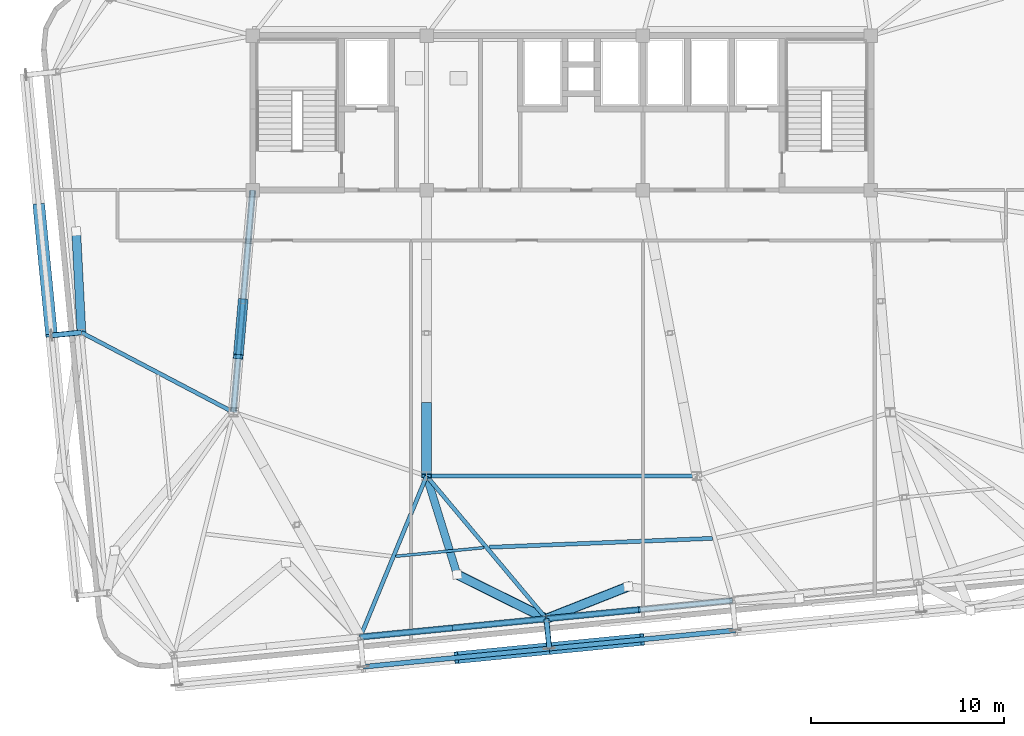
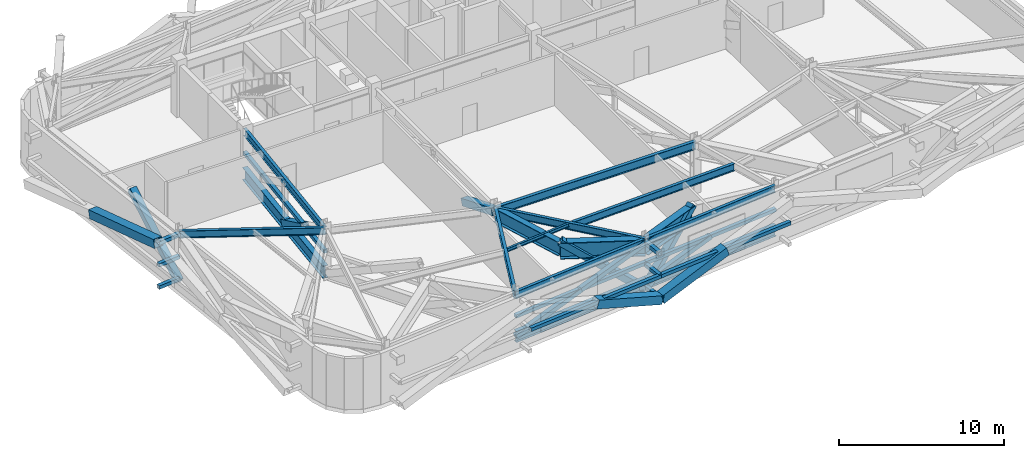
# One storey, part 6 of 24: 25 members, 12 beams.
"""IFC4 building model written with IfcOpenShell, lengths in metres."""

from ifc_helpers import new_model, si_unit, direction, frame, origin, origin_2d, place, context, subcontext, project, spatial, hollow_rectangle, i_section, extrude, source, transform, mapped, material, material_profile, profile_set, type_object, element, save


model = new_model("IFC4")

# Units and contexts
model_context = context("Model", 3, precision=1e-05, world=origin(), true_north=direction((0.0, 1.0)))
body_context = subcontext(model_context, "Body", "Model", "MODEL_VIEW")
ifc_project = project(units=[si_unit("LENGTHUNIT", "METRE"), si_unit("AREAUNIT", "SQUARE_METRE"), si_unit("VOLUMEUNIT", "CUBIC_METRE"), si_unit("PLANEANGLEUNIT", "RADIAN"), si_unit("MASSUNIT", "GRAM", prefix="KILO")], contexts=[model_context])

# Site, building, storey
site_placement = place(None, origin())
site = spatial("IfcSite", under=ifc_project, at=site_placement, CompositionType="ELEMENT")
building_placement = place(site_placement, origin())
building = spatial("IfcBuilding", under=site, at=building_placement, Name="Taldren Reach Tower", CompositionType="ELEMENT")
storey_placement = place(building_placement, frame((0.0, 0.0, 112.35009765625)))
storey = spatial("IfcBuildingStorey", under=building, at=storey_placement, Name="L34", CompositionType="ELEMENT", Elevation=112.35009765625)

# Beams
ifc_material_1 = material(Name="Steel Gr 350 (350PLUS)", Category="steel")
ifc_material_profile_1 = material_profile(ifc_material_1, i_section(OverallWidth=0.208984375, OverallDepth=0.532958984375, WebThickness=0.01025390625, FlangeThickness=0.015625, at=origin_2d()), Name="530UB92.4")
ifc_profile_set_1 = profile_set([ifc_material_profile_1], Name="Steel Gr 350 (350PLUS)")
beam_type_1 = type_object("IfcBeamType", Name="BM-UB530A", PredefinedType="BEAM", material=ifc_profile_set_1)
shared_shape_1 = source(origin(), body_context, "Body", "SweptSolid", [
    extrude(i_section(OverallWidth=0.208984375, OverallDepth=0.532958984375, WebThickness=0.01025390625, FlangeThickness=0.015625, at=origin_2d()), origin(), (0.0, 0.0, 1.0), 11.54345703125),
])
beam_1_placement = place(storey_placement, frame((19.0, 24.0, 3.513427734375), z_axis=(-0.086629616365, -0.996240588196, 0.0), x_axis=(0.996240588196, -0.086629616365, 0.0)))
element("IfcBeam", 1, at=beam_1_placement, inside=storey, type_object=beam_type_1, Name="Core-spine girder L34-SP09", PredefinedType="BEAM", context=body_context, shape_type="MappedRepresentation", body=[
    mapped(shared_shape_1, transform((0.0, 0.0, 0.0), scale=1.0)),
])
ifc_material_profile_2 = material_profile(ifc_material_1, i_section(OverallWidth=0.22802734375, OverallDepth=0.60205078125, WebThickness=0.010498046875, FlangeThickness=0.014892578125, at=origin_2d()), Name="610UB101")
ifc_profile_set_2 = profile_set([ifc_material_profile_2], Name="Steel Gr 350 (350PLUS)")
beam_type_2 = type_object("IfcBeamType", Name="BM-UB610B", PredefinedType="BEAM", material=ifc_profile_set_2)
shared_shape_2 = source(origin(), body_context, "Body", "SweptSolid", [
    extrude(i_section(OverallWidth=0.22802734375, OverallDepth=0.60205078125, WebThickness=0.010498046875, FlangeThickness=0.014892578125, at=origin_2d()), origin(), (0.0, 0.0, 1.0), 14.0),
])
beam_2_placement = place(storey_placement, frame((28.0, 9.199951171875, 3.47900390625), z_axis=(1.0, 0.0, 0.0), x_axis=(0.0, 1.0, 0.0)))
element("IfcBeam", 2, at=beam_2_placement, inside=storey, type_object=beam_type_2, Name="Core-spine girder L34-SP11", PredefinedType="BEAM", context=body_context, shape_type="MappedRepresentation", body=[
    mapped(shared_shape_2, transform((0.0, 0.0, 0.0), scale=1.0)),
])

# Members
ifc_material_profile_3 = material_profile(ifc_material_1, i_section(OverallWidth=0.35009765625, OverallDepth=0.916015625, WebThickness=0.013916015625, FlangeThickness=0.028076171875, at=origin_2d()), Name="900WB257")
ifc_profile_set_3 = profile_set([ifc_material_profile_3], Name="Steel Gr 350 (350PLUS)")
member_type_1 = type_object("IfcMemberType", Name="MB-CH900", PredefinedType="CHORD", material=ifc_profile_set_3)
shared_shape_3 = source(origin(), body_context, "Body", "SweptSolid", [
    extrude(i_section(OverallWidth=0.35009765625, OverallDepth=0.916015625, WebThickness=0.013916015625, FlangeThickness=0.028076171875, at=origin_2d()), origin(), (0.0, 0.0, 1.0), 11.54345703125),
])
member_1_placement = place(storey_placement, frame((19.0, 24.0, 0.449951171875), z_axis=(-0.086629616365, -0.996240588196, 0.0), x_axis=(0.996240588196, -0.086629616365, 0.0)))
element("IfcMember", 3, at=member_1_placement, inside=storey, type_object=member_type_1, Name="Outrigger Transfer Truss Bottom Chord OT-W1 L34", PredefinedType="CHORD", context=body_context, shape_type="MappedRepresentation", body=[
    mapped(shared_shape_3, transform((0.0, 0.0, 0.0), scale=1.0)),
])
ifc_material_2 = material(Name="Steel Gr 350 (C350L0)", Category="steel")
ifc_material_profile_4 = material_profile(ifc_material_2, hollow_rectangle(XDim=0.25, YDim=0.25, WallThickness=0.010009765625, at=origin_2d()), Name="250x250x10.0SHS")
ifc_profile_set_4 = profile_set([ifc_material_profile_4], Name="Steel Gr 350 (C350L0)")
member_type_2 = type_object("IfcMemberType", Name="MB-POST250", PredefinedType="POST", material=ifc_profile_set_4)
shared_shape_4 = source(origin(), body_context, "Body", "SweptSolid", [
    extrude(hollow_rectangle(XDim=0.25, YDim=0.25, WallThickness=0.010009765625, at=origin_2d()), origin(), (0.0, 0.0, 1.0), 11.54345703125),
])
member_2_placement = place(storey_placement, frame((19.0, 24.0, 1.954833984375), z_axis=(-0.086629616365, -0.996240588196, 0.0), x_axis=(0.996240588196, -0.086629616365, 0.0)))
element("IfcMember", 4, at=member_2_placement, inside=storey, type_object=member_type_2, Name="Outrigger Transfer Truss Mid Chord OT-W1 L34", PredefinedType="POST", context=body_context, shape_type="MappedRepresentation", body=[
    mapped(shared_shape_4, transform((0.0, 0.0, 0.0), scale=1.0)),
])
ifc_material_3 = material(Name="Steel Gr 450 (C450L0)", Category="steel")
ifc_material_profile_5 = material_profile(ifc_material_3, hollow_rectangle(XDim=0.510009765625, YDim=0.510009765625, WallThickness=0.02001953125, at=origin_2d()), Name="510x510x20.0SHS")
ifc_profile_set_5 = profile_set([ifc_material_profile_5], Name="Steel Gr 450 (C450L0)")
member_type_3 = type_object("IfcMemberType", Name="MB-EXO508", PredefinedType="BRACE", material=ifc_profile_set_5)
shared_shape_5 = source(origin(), body_context, "Body", "SweptSolid", [
    extrude(hollow_rectangle(XDim=0.510009765625, YDim=0.510009765625, WallThickness=0.02001953125, at=origin_2d()), origin(), (0.0, 0.0, 1.0), 3.254638671875),
])
member_3_placement = place(storey_placement, frame((18.5, 18.25, 0.449951171875), z_axis=(-0.076812991328, -0.883349400268, 0.462378201703), x_axis=(0.996240588196, -0.086629616365, 0.0)))
element("IfcMember", 5, at=member_3_placement, inside=storey, type_object=member_type_3, Name="Outrigger Transfer Truss Diagonal OT-W1B L34", PredefinedType="BRACE", context=body_context, shape_type="MappedRepresentation", body=[
    mapped(shared_shape_5, transform((0.0, 0.0, 0.0), scale=1.0)),
])
shared_shape_6 = source(origin(), body_context, "Body", "SweptSolid", [
    extrude(hollow_rectangle(XDim=0.510009765625, YDim=0.510009765625, WallThickness=0.02001953125, at=origin_2d()), origin(), (0.0, 0.0, 1.0), 3.994384765625),
])
member_4_placement = place(storey_placement, frame((28.0, 12.89990234375, 1.954833984375), z_axis=(0.0, -0.926289977248, 0.376811462206), x_axis=(1.0, 0.0, 0.0)))
element("IfcMember", 6, at=member_4_placement, inside=storey, type_object=member_type_3, Name="Outrigger Transfer Truss Diagonal OT-M1B L34", PredefinedType="BRACE", context=body_context, shape_type="MappedRepresentation", body=[
    mapped(shared_shape_6, transform((0.0, 0.0, 0.0), scale=1.0)),
])

# Beams
ifc_material_profile_6 = material_profile(ifc_material_1, i_section(OverallWidth=0.208984375, OverallDepth=0.528076171875, WebThickness=0.009521484375, FlangeThickness=0.01318359375, at=origin_2d()), Name="530UB82.0")
ifc_profile_set_6 = profile_set([ifc_material_profile_6], Name="Steel Gr 350 (350PLUS)")
beam_type_3 = type_object("IfcBeamType", Name="SP-UB530B", PredefinedType="SPANDREL", material=ifc_profile_set_6)
shared_shape_7 = source(origin(), body_context, "Body", "SweptSolid", [
    extrude(i_section(OverallWidth=0.208984375, OverallDepth=0.528076171875, WebThickness=0.009521484375, FlangeThickness=0.01318359375, at=origin_2d()), origin(), (0.0, 0.0, 1.0), 9.679931640625),
])
for number, where, z_axis, x_axis, name in (
    (7, (24.56787109375, 0.86474609375, 3.515869140625), (0.995227612658, 0.097580730699, 0.0), (-0.097580730699, 0.995227612658, 0.0), "Perimeter spandrel B2 S2-S3 L34"),
    (8, (34.20166015625, 1.809326171875, 3.515869140625), (0.995227612658, 0.097580730699, 0.0), (-0.097580730699, 0.995227612658, 0.0), "Perimeter spandrel B2 S3-S4 L34"),
):
    element("IfcBeam", number, at=place(storey_placement, frame(where, z_axis=z_axis, x_axis=x_axis)), inside=storey, type_object=beam_type_3, Name=name, PredefinedType="SPANDREL", context=body_context, shape_type="MappedRepresentation", body=[
        mapped(shared_shape_7, transform((0.0, 0.0, 0.0), scale=1.0)),
    ])
shared_shape_8 = source(origin(), body_context, "Body", "SweptSolid", [
    extrude(i_section(OverallWidth=0.208984375, OverallDepth=0.532958984375, WebThickness=0.01025390625, FlangeThickness=0.015625, at=origin_2d()), origin(), (0.0, 0.0, 1.0), 9.01416015625),
])
beam_3_placement = place(storey_placement, frame((28.0, 9.199951171875, 3.513427734375), z_axis=(-0.380748443035, -0.924678659387, 0.0), x_axis=(0.924678659387, -0.380748443035, 0.0)))
element("IfcBeam", 9, at=beam_3_placement, inside=storey, type_object=beam_type_1, Name="Primary floor girder B2-S2 L34", PredefinedType="BEAM", context=body_context, shape_type="MappedRepresentation", body=[
    mapped(shared_shape_8, transform((0.0, 0.0, 0.0), scale=1.0)),
])
shared_shape_9 = source(origin(), body_context, "Body", "SweptSolid", [
    extrude(i_section(OverallWidth=0.208984375, OverallDepth=0.532958984375, WebThickness=0.01025390625, FlangeThickness=0.015625, at=origin_2d()), origin(), (0.0, 0.0, 1.0), 9.64794921875),
])
beam_4_placement = place(storey_placement, frame((28.0, 9.199951171875, 3.513427734375), z_axis=(0.642799132398, -0.766034774268, 0.0), x_axis=(0.766034774268, 0.642799132398, 0.0)))
element("IfcBeam", 10, at=beam_4_placement, inside=storey, type_object=beam_type_1, Name="Primary floor girder B2-S3 L34", PredefinedType="BEAM", context=body_context, shape_type="MappedRepresentation", body=[
    mapped(shared_shape_9, transform((0.0, 0.0, 0.0), scale=1.0)),
])
shared_shape_10 = source(origin(), body_context, "Body", "SweptSolid", [
    extrude(i_section(OverallWidth=0.208984375, OverallDepth=0.532958984375, WebThickness=0.01025390625, FlangeThickness=0.015625, at=origin_2d()), origin(), (0.0, 0.0, 1.0), 8.8876953125),
])
beam_5_placement = place(storey_placement, frame((18.0, 12.5, 3.513427734375), z_axis=(-0.885412881876, 0.464805366371, 0.0), x_axis=(-0.464805366371, -0.885412881876, 0.0)))
element("IfcBeam", 11, at=beam_5_placement, inside=storey, type_object=beam_type_1, Name="Primary floor girder B2-W2 L34", PredefinedType="BEAM", context=body_context, shape_type="MappedRepresentation", body=[
    mapped(shared_shape_10, transform((0.0, 0.0, 0.0), scale=1.0)),
])
ifc_material_4 = material(Name="Steel Gr 300 (300PLUS, 300 MPa)", Category="steel")
ifc_material_profile_7 = material_profile(ifc_material_4, i_section(OverallWidth=0.14599609375, OverallDepth=0.256103515625, WebThickness=0.00634765625, FlangeThickness=0.010986328125, at=origin_2d()), Name="250UB37.3")
ifc_profile_set_7 = profile_set([ifc_material_profile_7], Name="Steel Gr 300 (300PLUS, 300 MPa)")
beam_type_4 = type_object("IfcBeamType", Name="JS-UB250", PredefinedType="JOIST", material=ifc_profile_set_7)
shared_shape_11 = source(origin(), body_context, "Body", "SweptSolid", [
    extrude(i_section(OverallWidth=0.14599609375, OverallDepth=0.256103515625, WebThickness=0.00634765625, FlangeThickness=0.010986328125, at=origin_2d()), origin(), (0.0, 0.0, 1.0), 4.594970703125),
])
beam_6_placement = place(storey_placement, frame((26.40185546875, 5.0439453125, 3.65185546875), z_axis=(0.995230447096, 0.097551817888, 0.0), x_axis=(-0.097551817888, 0.995230447096, 0.0)))
element("IfcBeam", 12, at=beam_6_placement, inside=storey, type_object=beam_type_4, Name="Secondary floor joist B2 J2 L34", PredefinedType="JOIST", context=body_context, shape_type="MappedRepresentation", body=[
    mapped(shared_shape_11, transform((0.0, 0.0, 0.0), scale=1.0)),
])
shared_shape_12 = source(origin(), body_context, "Body", "SweptSolid", [
    extrude(i_section(OverallWidth=0.208984375, OverallDepth=0.532958984375, WebThickness=0.01025390625, FlangeThickness=0.015625, at=origin_2d()), origin(), (0.0, 0.0, 1.0), 11.586669921875),
])
beam_7_placement = place(storey_placement, frame((31.23291015625, 5.510009765625, 3.513427734375), z_axis=(0.999202506312, 0.039929329821, 0.0), x_axis=(-0.039929329821, 0.999202506312, 0.0)))
element("IfcBeam", 13, at=beam_7_placement, inside=storey, type_object=beam_type_1, Name="Secondary floor beam B2 J3 L34", PredefinedType="BEAM", context=body_context, shape_type="MappedRepresentation", body=[
    mapped(shared_shape_12, transform((0.0, 0.0, 0.0), scale=1.0)),
])

# Members
ifc_material_profile_8 = material_profile(ifc_material_3, hollow_rectangle(XDim=0.27490234375, YDim=0.27490234375, WallThickness=0.00927734375, at=origin_2d()), Name="275x275x9.3SHS")
ifc_profile_set_8 = profile_set([ifc_material_profile_8], Name="Steel Gr 450 (C450L0)")
member_type_4 = type_object("IfcMemberType", Name="MB-TIE273", PredefinedType="STRUT", material=ifc_profile_set_8)
shared_shape_13 = source(origin(), body_context, "Body", "SweptSolid", [
    extrude(hollow_rectangle(XDim=0.27490234375, YDim=0.27490234375, WallThickness=0.00927734375, at=origin_2d()), origin(), (0.0, 0.0, 1.0), 1.550048828125),
])
for number, where, z_axis, x_axis, name in (
    (14, (34.20166015625, 1.809326171875, 3.5), (0.097647892962, -0.9952210252, 0.0), (0.9952210252, 0.097647892962, 0.0), "Exoskeleton diaphragm tie strut B2-S3 L34"),
    (15, (10.130615234375, 16.631103515625, 3.5), (-0.9952210252, -0.097647892962, 0.0), (0.097647892962, -0.9952210252, 0.0), "Exoskeleton diaphragm tie strut B2-W2 L34"),
):
    element("IfcMember", number, at=place(storey_placement, frame(where, z_axis=z_axis, x_axis=x_axis)), inside=storey, type_object=member_type_4, Name=name, PredefinedType="STRUT", context=body_context, shape_type="MappedRepresentation", body=[
        mapped(shared_shape_13, transform((0.0, 0.0, 0.0), scale=1.0)),
    ])
shared_shape_14 = source(origin(), body_context, "Body", "SweptSolid", [
    extrude(hollow_rectangle(XDim=0.25, YDim=0.25, WallThickness=0.010009765625, at=origin_2d()), origin(), (0.0, 0.0, 1.0), 9.679931640625),
])
for number, where, z_axis, x_axis, name in (
    (16, (24.56787109375, 0.86474609375, 1.954833984375), (0.995227612658, 0.097580730699, 0.0), (-0.097580730699, 0.995227612658, 0.0), "Belt Truss Transfer Mid Chord S2 L34"),
    (17, (34.20166015625, 1.809326171875, 1.954833984375), (0.995227612658, 0.097580730699, 0.0), (-0.097580730699, 0.995227612658, 0.0), "Belt Truss Transfer Mid Chord S3 L34"),
    (18, (24.71923828125, -0.677978515625, 1.85986328125), (0.995227612658, 0.097580730699, 0.0), (-0.097580730699, 0.995227612658, 0.0), "Exoskeleton mid-height ring chord B2-S2 L34"),
    (19, (34.35302734375, 0.2666015625, 1.85986328125), (0.995225162995, 0.097605711627, 0.0), (-0.097605711627, 0.995225162995, 0.0), "Exoskeleton mid-height ring chord B2-S3 L34"),
):
    element("IfcMember", number, at=place(storey_placement, frame(where, z_axis=z_axis, x_axis=x_axis)), inside=storey, type_object=member_type_2, Name=name, PredefinedType="POST", context=body_context, shape_type="MappedRepresentation", body=[
        mapped(shared_shape_14, transform((0.0, 0.0, 0.0), scale=1.0)),
    ])
shared_shape_15 = source(origin(), body_context, "Body", "SweptSolid", [
    extrude(hollow_rectangle(XDim=0.25, YDim=0.25, WallThickness=0.010009765625, at=origin_2d()), origin(), (0.0, 0.0, 1.0), 1.550048828125),
])
for number, where, z_axis, x_axis, name in (
    (20, (34.20166015625, 1.809326171875, 0.219970703125), (0.097647892962, -0.9952210252, 0.0), (0.9952210252, 0.097647892962, 0.0), "Exoskeleton base diaphragm tie strut B2-S3 L34"),
    (21, (10.130615234375, 16.631103515625, 0.219970703125), (-0.9952210252, -0.097647892962, 0.0), (0.097647892962, -0.9952210252, 0.0), "Exoskeleton base diaphragm tie strut B2-W2 L34"),
    (22, (34.20166015625, 1.809326171875, 1.85986328125), (0.097647892962, -0.9952210252, 0.0), (0.9952210252, 0.097647892962, 0.0), "Exoskeleton mid-tier diaphragm tie B2-S3 L34"),
    (23, (10.130615234375, 16.631103515625, 1.85986328125), (-0.9952210252, -0.097647892962, 0.0), (0.097647892962, -0.9952210252, 0.0), "Exoskeleton mid-tier diaphragm tie B2-W2 L34"),
):
    element("IfcMember", number, at=place(storey_placement, frame(where, z_axis=z_axis, x_axis=x_axis)), inside=storey, type_object=member_type_2, Name=name, PredefinedType="POST", context=body_context, shape_type="MappedRepresentation", body=[
        mapped(shared_shape_15, transform((0.0, 0.0, 0.0), scale=1.0)),
    ])
ifc_material_profile_9 = material_profile(ifc_material_3, hollow_rectangle(XDim=0.4599609375, YDim=0.4599609375, WallThickness=0.01611328125, at=origin_2d()), Name="460x460x16.0SHS")
ifc_profile_set_9 = profile_set([ifc_material_profile_9], Name="Steel Gr 450 (C450L0)")
member_type_5 = type_object("IfcMemberType", Name="MB-EXO457", PredefinedType="BRACE", material=ifc_profile_set_9)
shared_shape_16 = source(origin(), body_context, "Body", "SweptSolid", [
    extrude(hollow_rectangle(XDim=0.4599609375, YDim=0.4599609375, WallThickness=0.01611328125, at=origin_2d()), origin(), (0.0, 0.0, 1.0), 6.382568359375),
])
member_5_placement = place(storey_placement, frame((34.20166015625, 1.809326171875, 0.02001953125), z_axis=(-0.72404886782, 0.358830494428, 0.589061892569), x_axis=(-0.444048828688, -0.896002588021, 0.0)))
element("IfcMember", 24, at=member_5_placement, inside=storey, type_object=member_type_5, Name="Outrigger Belt Truss Transfer Strut TS-B3-S3 L34", PredefinedType="BRACE", context=body_context, shape_type="MappedRepresentation", body=[
    mapped(shared_shape_16, transform((0.0, 0.0, 0.0), scale=1.0)),
])

# Beams
ifc_material_profile_10 = material_profile(ifc_material_1, i_section(OverallWidth=0.5, OverallDepth=1.199951171875, WebThickness=0.01611328125, FlangeThickness=0.0400390625, at=origin_2d()), Name="1200WB455")
ifc_profile_set_10 = profile_set([ifc_material_profile_10], Name="Steel Gr 350 (350PLUS)")
beam_type_5 = type_object("IfcBeamType", Name="BM-WB1200", PredefinedType="BEAM", material=ifc_profile_set_10)
shared_shape_17 = source(origin(), body_context, "Body", "SweptSolid", [
    extrude(i_section(OverallWidth=0.5, OverallDepth=1.199951171875, WebThickness=0.01611328125, FlangeThickness=0.0400390625, at=origin_2d()), origin(), (0.0, 0.0, 1.0), 5.15771484375),
])
beam_8_placement = place(storey_placement, frame((34.20166015625, 1.809326171875, 3.179931640625), z_axis=(-0.896002588021, 0.444048828688, 0.0), x_axis=(-0.444048828688, -0.896002588021, 0.0)))
element("IfcBeam", 25, at=beam_8_placement, inside=storey, type_object=beam_type_5, Name="Belt Truss Transfer Girder TG-B3-S3A on L34", PredefinedType="BEAM", context=body_context, shape_type="MappedRepresentation", body=[
    mapped(shared_shape_17, transform((0.0, 0.0, 0.0), scale=1.0)),
])
ifc_material_profile_11 = material_profile(ifc_material_1, i_section(OverallWidth=0.39990234375, OverallDepth=1.02392578125, WebThickness=0.01611328125, FlangeThickness=0.031982421875, at=origin_2d()), Name="1000WB322")
ifc_profile_set_11 = profile_set([ifc_material_profile_11], Name="Steel Gr 350 (350PLUS)")
beam_type_6 = type_object("IfcBeamType", Name="BM-WB1000", PredefinedType="BEAM", material=ifc_profile_set_11)
shared_shape_18 = source(origin(), body_context, "Body", "SweptSolid", [
    extrude(i_section(OverallWidth=0.39990234375, OverallDepth=1.02392578125, WebThickness=0.01611328125, FlangeThickness=0.031982421875, at=origin_2d()), origin(), (0.0, 0.0, 1.0), 5.339599609375),
])
beam_9_placement = place(storey_placement, frame((28.0, 9.199951171875, 3.267822265625), z_axis=(0.295964865482, -0.955198826632, 0.0), x_axis=(0.955198826632, 0.295964865482, 0.0)))
element("IfcBeam", 26, at=beam_9_placement, inside=storey, type_object=beam_type_6, Name="Belt Truss Transfer Tie Girder TG-B3-S3B on L34", PredefinedType="BEAM", context=body_context, shape_type="MappedRepresentation", body=[
    mapped(shared_shape_18, transform((0.0, 0.0, 0.0), scale=1.0)),
])

# Member
shared_shape_19 = source(origin(), body_context, "Body", "SweptSolid", [
    extrude(hollow_rectangle(XDim=0.4599609375, YDim=0.4599609375, WallThickness=0.01611328125, at=origin_2d()), origin(), (0.0, 0.0, 1.0), 5.906005859375),
])
member_6_placement = place(storey_placement, frame((34.20166015625, 1.809326171875, 0.02001953125), z_axis=(0.717420545072, 0.282917096541, 0.636604805192), x_axis=(-0.36685774424, 0.930277053082, 0.0)))
element("IfcMember", 27, at=member_6_placement, inside=storey, type_object=member_type_5, Name="Outrigger Belt Truss Transfer Strut TS-B3-S4 L34", PredefinedType="BRACE", context=body_context, shape_type="MappedRepresentation", body=[
    mapped(shared_shape_19, transform((0.0, 0.0, 0.0), scale=1.0)),
])

# Beam
shared_shape_20 = source(origin(), body_context, "Body", "SweptSolid", [
    extrude(i_section(OverallWidth=0.5, OverallDepth=1.199951171875, WebThickness=0.01611328125, FlangeThickness=0.0400390625, at=origin_2d()), origin(), (0.0, 0.0, 1.0), 4.5546875),
])
beam_10_placement = place(storey_placement, frame((34.20166015625, 1.809326171875, 3.179931640625), z_axis=(0.930277053082, 0.36685774424, 0.0), x_axis=(-0.36685774424, 0.930277053082, 0.0)))
element("IfcBeam", 28, at=beam_10_placement, inside=storey, type_object=beam_type_5, Name="Belt Truss Transfer Girder TG-B3-S4A on L34", PredefinedType="BEAM", context=body_context, shape_type="MappedRepresentation", body=[
    mapped(shared_shape_20, transform((0.0, 0.0, 0.0), scale=1.0)),
])

# Members
shared_shape_21 = source(origin(), body_context, "Body", "SweptSolid", [
    extrude(hollow_rectangle(XDim=0.4599609375, YDim=0.4599609375, WallThickness=0.01611328125, at=origin_2d()), origin(), (0.0, 0.0, 1.0), 6.45263671875),
])
member_7_placement = place(storey_placement, frame((10.130615234375, 16.631103515625, 0.02001953125), z_axis=(-0.04165674243, 0.811644358409, 0.582664698839), x_axis=(-0.998685525683, -0.051256421955, 0.0)))
element("IfcMember", 29, at=member_7_placement, inside=storey, type_object=member_type_5, Name="Outrigger Belt Truss Transfer Strut TS-B3-W2 L34", PredefinedType="BRACE", context=body_context, shape_type="MappedRepresentation", body=[
    mapped(shared_shape_21, transform((0.0, 0.0, 0.0), scale=1.0)),
])
ifc_material_profile_12 = material_profile(ifc_material_1, i_section(OverallWidth=0.300048828125, OverallDepth=0.81591796875, WebThickness=0.011962890625, FlangeThickness=0.02392578125, at=origin_2d()), Name="800WB192")
ifc_profile_set_12 = profile_set([ifc_material_profile_12], Name="Steel Gr 350 (350PLUS)")
member_type_6 = type_object("IfcMemberType", Name="MB-CH800", PredefinedType="CHORD", material=ifc_profile_set_12)
shared_shape_22 = source(origin(), body_context, "Body", "SweptSolid", [
    extrude(i_section(OverallWidth=0.300048828125, OverallDepth=0.81591796875, WebThickness=0.011962890625, FlangeThickness=0.02392578125, at=origin_2d()), origin(), (0.0, 0.0, 1.0), 9.679931640625),
])
for number, where, z_axis, x_axis, name in (
    (30, (24.56787109375, 0.86474609375, 0.449951171875), (0.995227612658, 0.097580730699, 0.0), (-0.097580730699, 0.995227612658, 0.0), "Belt Truss Transfer Bottom Chord S2 L34"),
    (31, (34.20166015625, 1.809326171875, 0.449951171875), (0.995227612658, 0.097580730699, 0.0), (-0.097580730699, 0.995227612658, 0.0), "Belt Truss Transfer Bottom Chord S3 L34"),
):
    element("IfcMember", number, at=place(storey_placement, frame(where, z_axis=z_axis, x_axis=x_axis)), inside=storey, type_object=member_type_6, Name=name, PredefinedType="CHORD", context=body_context, shape_type="MappedRepresentation", body=[
        mapped(shared_shape_22, transform((0.0, 0.0, 0.0), scale=1.0)),
    ])
ifc_material_profile_13 = material_profile(ifc_material_3, hollow_rectangle(XDim=0.324951171875, YDim=0.324951171875, WallThickness=0.0126953125, at=origin_2d()), Name="325x325x12.7SHS")
ifc_profile_set_13 = profile_set([ifc_material_profile_13], Name="Steel Gr 450 (C450L0)")
member_type_7 = type_object("IfcMemberType", Name="MB-BR324", PredefinedType="BRACE", material=ifc_profile_set_13)
shared_shape_23 = source(origin(), body_context, "Body", "SweptSolid", [
    extrude(hollow_rectangle(XDim=0.324951171875, YDim=0.324951171875, WallThickness=0.0126953125, at=origin_2d()), origin(), (0.0, 0.0, 1.0), 5.068603515625),
])
for number, where, z_axis, x_axis, name in (
    (32, (24.56787109375, 0.86474609375, 0.449951171875), (0.950351671839, 0.093156621051, 0.296906624694), (-0.097555749586, 0.995230061706, 0.0), "Belt Truss Transfer Diagonal S2 L34"),
    (33, (29.384765625, 1.3369140625, 1.954833984375), (0.950333814448, 0.093203037555, 0.296949212675), (-0.097605711627, 0.995225162995, 0.0), "Belt Truss Transfer Diagonal S2 L34"),
    (34, (34.20166015625, 1.809326171875, 0.449951171875), (0.950351671839, 0.093156621051, 0.296906624694), (-0.097555749586, 0.995230061706, 0.0), "Belt Truss Transfer Diagonal S3 L34"),
):
    element("IfcMember", number, at=place(storey_placement, frame(where, z_axis=z_axis, x_axis=x_axis)), inside=storey, type_object=member_type_7, Name=name, PredefinedType="BRACE", context=body_context, shape_type="MappedRepresentation", body=[
        mapped(shared_shape_23, transform((0.0, 0.0, 0.0), scale=1.0)),
    ])
ifc_material_profile_14 = material_profile(ifc_material_3, hollow_rectangle(XDim=0.614990234375, YDim=0.614990234375, WallThickness=0.02490234375, at=origin_2d()), Name="615x615x25.0SHS")
ifc_profile_set_14 = profile_set([ifc_material_profile_14], Name="Steel Gr 450 (C450L0)")
member_type_8 = type_object("IfcMemberType", Name="MB-EXO610", PredefinedType="BRACE", material=ifc_profile_set_14)
shared_shape_24 = source(origin(), body_context, "Body", "SweptSolid", [
    extrude(hollow_rectangle(XDim=0.614990234375, YDim=0.614990234375, WallThickness=0.02490234375, at=origin_2d()), origin(), (0.0, 0.0, 1.0), 5.1103515625),
])
for number, where, z_axis, x_axis, name in (
    (35, (34.35302734375, 0.2666015625, 0.219970703125), (-0.942594546699, -0.092396241932, 0.320902563111), (0.097555749586, -0.995230061706, 0.0), "Exoskeleton Diagrid Brace B2-S2 L34"),
    (36, (34.35302734375, 0.2666015625, 0.219970703125), (0.942590384848, 0.092443608448, 0.320901146225), (-0.097605711627, 0.995225162995, 0.0), "Exoskeleton Diagrid Brace B2-S3 L34"),
):
    element("IfcMember", number, at=place(storey_placement, frame(where, z_axis=z_axis, x_axis=x_axis)), inside=storey, type_object=member_type_8, Name=name, PredefinedType="BRACE", context=body_context, shape_type="MappedRepresentation", body=[
        mapped(shared_shape_24, transform((0.0, 0.0, 0.0), scale=1.0)),
    ])
shared_shape_25 = source(origin(), body_context, "Body", "SweptSolid", [
    extrude(hollow_rectangle(XDim=0.614990234375, YDim=0.614990234375, WallThickness=0.02490234375, at=origin_2d()), origin(), (0.0, 0.0, 1.0), 6.970703125),
])
member_8_placement = place(storey_placement, frame((7.9267578125, 23.222412109375, 1.85986328125), z_axis=(0.094844377448, -0.967286564389, 0.235289707421), x_axis=(0.995227290009, 0.097584021339, 0.0)))
element("IfcMember", 37, at=member_8_placement, inside=storey, type_object=member_type_8, Name="Exoskeleton Diagrid Brace B2-W2 L34", PredefinedType="BRACE", context=body_context, shape_type="MappedRepresentation", body=[
    mapped(shared_shape_25, transform((0.0, 0.0, 0.0), scale=1.0)),
])

save(model, "model.ifc")
